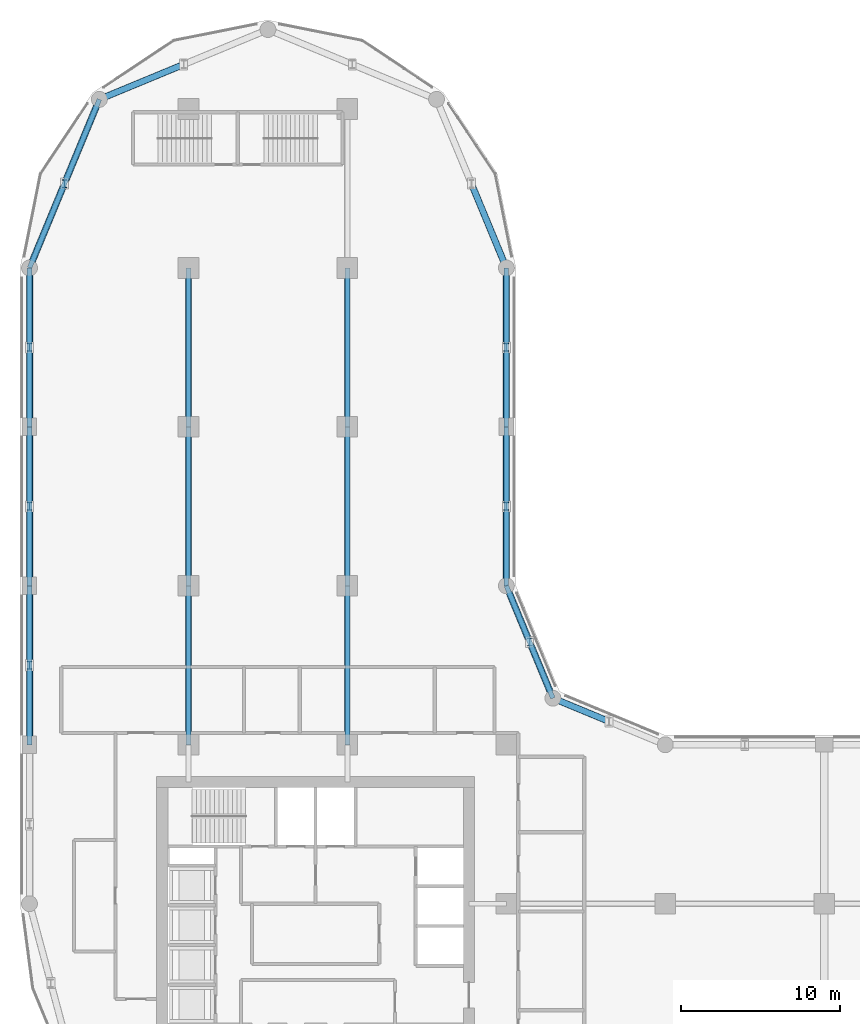
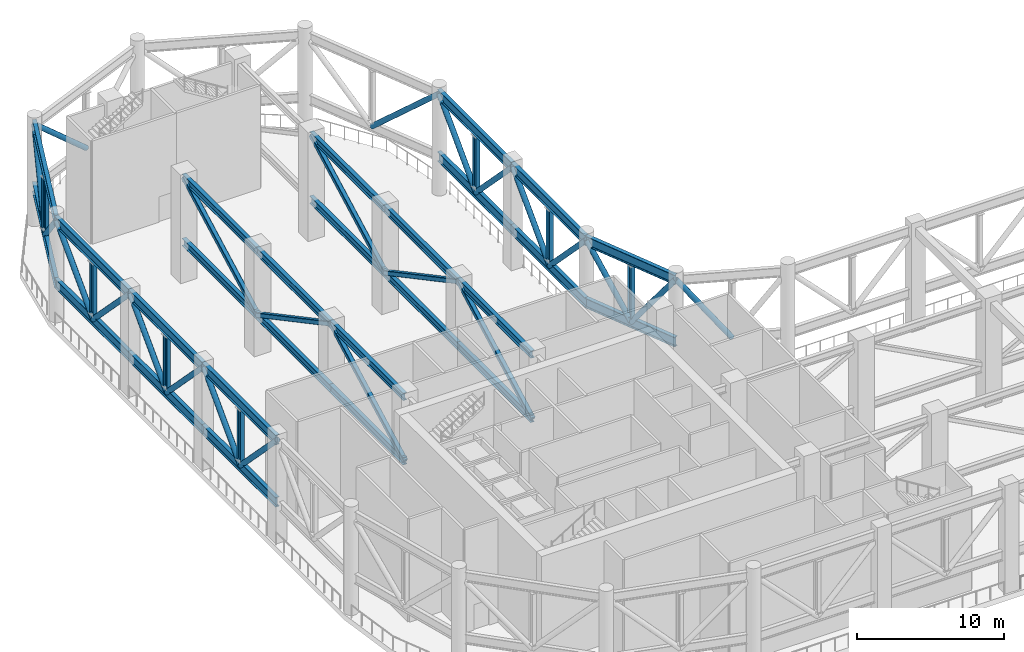
# One storey, part 4 of 13: 56 members.
"""IFC4 building model written with IfcOpenShell, lengths in metres."""

from ifc_helpers import new_model, si_unit, direction, frame, origin, origin_2d, place, context, subcontext, project, spatial, hollow_rectangle, hollow_circle, i_section, extrude, material, material_profile, profile_set, type_object, element, save


model = new_model("IFC4")

# Units and contexts
model_context = context("Model", 3, precision=1e-05, world=origin(), true_north=direction((0.0, 1.0)))
body_context = subcontext(model_context, "Body", "Model", "MODEL_VIEW")
ifc_project = project(units=[si_unit("LENGTHUNIT", "METRE"), si_unit("AREAUNIT", "SQUARE_METRE"), si_unit("VOLUMEUNIT", "CUBIC_METRE"), si_unit("PLANEANGLEUNIT", "RADIAN"), si_unit("MASSUNIT", "GRAM", prefix="KILO")], contexts=[model_context])

# Site, building, storey
site_placement = place(None, origin())
site = spatial("IfcSite", under=ifc_project, at=site_placement, CompositionType="ELEMENT")
building_placement = place(site_placement, origin())
building = spatial("IfcBuilding", under=site, at=building_placement, Name="Qaws Garden Tower", CompositionType="ELEMENT")
storey_placement = place(building_placement, frame((0.0, 0.0, 237.0)))
storey = spatial("IfcBuildingStorey", under=building, at=storey_placement, Name="L58", CompositionType="ELEMENT", Elevation=237.0)

# Members
ifc_material_1 = material(Name="Steel S355", Category="steel")
ifc_material_profile_1 = material_profile(ifc_material_1, i_section(OverallWidth=0.300048828125, OverallDepth=0.800048828125, WebThickness=0.017578125, FlangeThickness=0.032958984375, FilletRadius=0.030029296875, at=origin_2d()), Name="HEB 800")
ifc_profile_set_1 = profile_set([ifc_material_profile_1], Name="Steel S355")
member_type_1 = type_object("IfcMemberType", Name="Belt chord HEB 800", PredefinedType="CHORD", material=ifc_profile_set_1)
for number, where, z_axis, x_axis, name in (
    (1, (32.928955078125, 32.928955078125, 8.14990234375), (-0.382687042488, 0.923878037141, 0.0), (-0.923878037141, -0.382687042488, 0.0), "Belt truss top chord 11"),
    (2, (32.928955078125, 32.928955078125, 3.0), (-0.382687042488, 0.923878037141, 0.0), (-0.923878037141, -0.382687042488, 0.0), "Belt truss bottom chord 11"),
):
    element("IfcMember", number, at=place(storey_placement, frame(where, z_axis=z_axis, x_axis=x_axis)), inside=storey, type_object=member_type_1, Name=name, PredefinedType="CHORD", context=body_context, shape_type="SweptSolid", body=[
        extrude(i_section(OverallWidth=0.300048828125, OverallDepth=0.800048828125, WebThickness=0.017578125, FlangeThickness=0.032958984375, FilletRadius=0.030029296875, at=origin_2d()), origin(), (0.0, 0.0, 1.0), 7.653564453125),
    ])
for number, where, z_axis, x_axis, name in (
    (3, (30.0, 40.0, 8.14990234375), (0.0, 1.0, 0.0), (-1.0, 0.0, 0.0), "Belt truss top chord 12"),
    (4, (30.0, 40.0, 3.0), (0.0, 1.0, 0.0), (-1.0, 0.0, 0.0), "Belt truss bottom chord 12"),
    (5, (30.0, 50.0, 8.14990234375), (0.0, 1.0, 0.0), (-1.0, 0.0, 0.0), "Belt truss top chord 13"),
    (6, (30.0, 50.0, 3.0), (0.0, 1.0, 0.0), (-1.0, 0.0, 0.0), "Belt truss bottom chord 13"),
):
    element("IfcMember", number, at=place(storey_placement, frame(where, z_axis=z_axis, x_axis=x_axis)), inside=storey, type_object=member_type_1, Name=name, PredefinedType="CHORD", context=body_context, shape_type="SweptSolid", body=[
        extrude(i_section(OverallWidth=0.300048828125, OverallDepth=0.800048828125, WebThickness=0.017578125, FlangeThickness=0.032958984375, FilletRadius=0.030029296875, at=origin_2d()), origin(), (0.0, 0.0, 1.0), 10.0),
    ])
for number, where, z_axis, x_axis, name in (
    (7, (4.393310546875, 70.606689453125, 8.14990234375), (-0.382674207535, -0.923883353507, 0.0), (0.923883353507, -0.382674207535, 0.0), "Belt truss top chord 17"),
    (8, (4.393310546875, 70.606689453125, 3.0), (-0.382674207535, -0.923883353507, 0.0), (0.923883353507, -0.382674207535, 0.0), "Belt truss bottom chord 17"),
):
    element("IfcMember", number, at=place(storey_placement, frame(where, z_axis=z_axis, x_axis=x_axis)), inside=storey, type_object=member_type_1, Name=name, PredefinedType="CHORD", context=body_context, shape_type="SweptSolid", body=[
        extrude(i_section(OverallWidth=0.300048828125, OverallDepth=0.800048828125, WebThickness=0.017578125, FlangeThickness=0.032958984375, FilletRadius=0.030029296875, at=origin_2d()), origin(), (0.0, 0.0, 1.0), 11.48046875),
    ])
for number, where, z_axis, x_axis, name in (
    (9, (0.0, 60.0, 8.14990234375), (0.0, -1.0, 0.0), (1.0, 0.0, 0.0), "Belt truss top chord 18"),
    (10, (0.0, 60.0, 3.0), (0.0, -1.0, 0.0), (1.0, 0.0, 0.0), "Belt truss bottom chord 18"),
    (11, (0.0, 50.0, 8.14990234375), (0.0, -1.0, 0.0), (1.0, 0.0, 0.0), "Belt truss top chord 19"),
    (12, (0.0, 50.0, 3.0), (0.0, -1.0, 0.0), (1.0, 0.0, 0.0), "Belt truss bottom chord 19"),
    (13, (0.0, 40.0, 8.14990234375), (0.0, -1.0, 0.0), (1.0, 0.0, 0.0), "Belt truss top chord 20"),
    (14, (0.0, 40.0, 3.0), (0.0, -1.0, 0.0), (1.0, 0.0, 0.0), "Belt truss bottom chord 20"),
):
    element("IfcMember", number, at=place(storey_placement, frame(where, z_axis=z_axis, x_axis=x_axis)), inside=storey, type_object=member_type_1, Name=name, PredefinedType="CHORD", context=body_context, shape_type="SweptSolid", body=[
        extrude(i_section(OverallWidth=0.300048828125, OverallDepth=0.800048828125, WebThickness=0.017578125, FlangeThickness=0.032958984375, FilletRadius=0.030029296875, at=origin_2d()), origin(), (0.0, 0.0, 1.0), 10.0),
    ])
ifc_material_2 = material(Name="Steel S355", Category="steel")
ifc_material_profile_2 = material_profile(ifc_material_2, hollow_circle(Radius=0.203125, WallThickness=0.02001953125, at=origin_2d()), Name="CHS 406.4x20")
ifc_profile_set_2 = profile_set([ifc_material_profile_2], Name="Steel S355")
member_type_2 = type_object("IfcMemberType", Name="Belt diagonal CHS 406.4x20", PredefinedType="BRACE", material=ifc_profile_set_2)
for number, where, z_axis, x_axis, name in (
    (15, (36.46435546875, 31.46435546875, 3.0), (-0.551025084301, 0.22827149235, 0.802660253315), (-0.38272554779, -0.923862086606, 0.0), "Belt truss diagonal 10b"),
    (16, (32.928955078125, 32.928955078125, 8.14990234375), (-0.22827149235, 0.551025084301, -0.802660253315), (-0.923862086606, -0.38272554779, 0.0), "Belt truss diagonal 11a"),
    (17, (31.46435546875, 36.46435546875, 3.0), (-0.22823063748, 0.551056367454, 0.802650394633), (-0.92389398552, -0.382648537851, 0.0), "Belt truss diagonal 11b"),
):
    element("IfcMember", number, at=place(storey_placement, frame(where, z_axis=z_axis, x_axis=x_axis)), inside=storey, type_object=member_type_2, Name=name, PredefinedType="BRACE", context=body_context, shape_type="SweptSolid", body=[
        extrude(hollow_circle(Radius=0.203125, WallThickness=0.02001953125, at=origin_2d()), origin(), (0.0, 0.0, 1.0), 6.416015625),
    ])
for number, where, z_axis, x_axis, name in (
    (18, (30.0, 40.0, 8.14990234375), (0.0, 0.696587664797, -0.717471689513), (-1.0, 0.0, 0.0), "Belt truss diagonal 12a"),
    (19, (30.0, 45.0, 3.0), (0.0, 0.696587664797, 0.717471689513), (-1.0, 0.0, 0.0), "Belt truss diagonal 12b"),
    (20, (30.0, 50.0, 8.14990234375), (0.0, 0.696587664797, -0.717471689513), (-1.0, 0.0, 0.0), "Belt truss diagonal 13a"),
    (21, (30.0, 55.0, 3.0), (0.0, 0.696587664797, 0.717471689513), (-1.0, 0.0, 0.0), "Belt truss diagonal 13b"),
):
    element("IfcMember", number, at=place(storey_placement, frame(where, z_axis=z_axis, x_axis=x_axis)), inside=storey, type_object=member_type_2, Name=name, PredefinedType="BRACE", context=body_context, shape_type="SweptSolid", body=[
        extrude(hollow_circle(Radius=0.203125, WallThickness=0.02001953125, at=origin_2d()), origin(), (0.0, 0.0, 1.0), 7.177734375),
    ])
member_1_placement = place(storey_placement, frame((30.0, 60.0, 8.14990234375), z_axis=(-0.284860092812, 0.687678477001, -0.667797154676), x_axis=(-0.923872720536, -0.382699877515, 0.0)))
element("IfcMember", 22, at=member_1_placement, inside=storey, type_object=member_type_2, Name="Belt truss diagonal 14a", PredefinedType="BRACE", context=body_context, shape_type="SweptSolid", body=[
    extrude(hollow_circle(Radius=0.203125, WallThickness=0.02001953125, at=origin_2d()), origin(), (0.0, 0.0, 1.0), 7.711669921875),
])
for number, where, z_axis, x_axis, name in (
    (23, (9.69677734375, 72.80322265625, 3.0), (-0.687701364621, -0.284824802168, 0.667788638094), (0.382648537851, -0.92389398552, 0.0), "Belt truss diagonal 16b"),
    (24, (4.393310546875, 70.606689453125, 8.14990234375), (-0.284824802168, -0.687701364621, -0.667788638094), (0.92389398552, -0.382648537851, 0.0), "Belt truss diagonal 17a"),
):
    element("IfcMember", number, at=place(storey_placement, frame(where, z_axis=z_axis, x_axis=x_axis)), inside=storey, type_object=member_type_2, Name=name, PredefinedType="BRACE", context=body_context, shape_type="SweptSolid", body=[
        extrude(hollow_circle(Radius=0.203125, WallThickness=0.02001953125, at=origin_2d()), origin(), (0.0, 0.0, 1.0), 7.7119140625),
    ])
member_2_placement = place(storey_placement, frame((2.19677734375, 65.30322265625, 3.0), z_axis=(-0.284860092812, -0.687678477001, 0.667797154676), x_axis=(0.923872720536, -0.382699877515, 0.0)))
element("IfcMember", 25, at=member_2_placement, inside=storey, type_object=member_type_2, Name="Belt truss diagonal 17b", PredefinedType="BRACE", context=body_context, shape_type="SweptSolid", body=[
    extrude(hollow_circle(Radius=0.203125, WallThickness=0.02001953125, at=origin_2d()), origin(), (0.0, 0.0, 1.0), 7.711669921875),
])
for number, where, z_axis, x_axis, name in (
    (26, (0.0, 60.0, 8.14990234375), (0.0, -0.696587664797, -0.717471689513), (1.0, 0.0, 0.0), "Belt truss diagonal 18a"),
    (27, (0.0, 55.0, 3.0), (0.0, -0.696587664797, 0.717471689513), (1.0, 0.0, 0.0), "Belt truss diagonal 18b"),
    (28, (0.0, 50.0, 8.14990234375), (0.0, -0.696587664797, -0.717471689513), (1.0, 0.0, 0.0), "Belt truss diagonal 19a"),
    (29, (0.0, 45.0, 3.0), (0.0, -0.696587664797, 0.717471689513), (1.0, 0.0, 0.0), "Belt truss diagonal 19b"),
    (30, (0.0, 40.0, 8.14990234375), (0.0, -0.696587664797, -0.717471689513), (1.0, 0.0, 0.0), "Belt truss diagonal 20a"),
    (31, (0.0, 35.0, 3.0), (0.0, -0.696587664797, 0.717471689513), (1.0, 0.0, 0.0), "Belt truss diagonal 20b"),
):
    element("IfcMember", number, at=place(storey_placement, frame(where, z_axis=z_axis, x_axis=x_axis)), inside=storey, type_object=member_type_2, Name=name, PredefinedType="BRACE", context=body_context, shape_type="SweptSolid", body=[
        extrude(hollow_circle(Radius=0.203125, WallThickness=0.02001953125, at=origin_2d()), origin(), (0.0, 0.0, 1.0), 7.177734375),
    ])
ifc_material_3 = material(Name="Steel S355", Category="steel")
ifc_material_profile_3 = material_profile(ifc_material_3, i_section(OverallWidth=0.300048828125, OverallDepth=0.5, WebThickness=0.014404296875, FlangeThickness=0.028076171875, FilletRadius=0.027099609375, at=origin_2d()), Name="HEB 500")
ifc_profile_set_3 = profile_set([ifc_material_profile_3], Name="Steel S355")
member_type_3 = type_object("IfcMemberType", Name="Belt post HEB 500", PredefinedType="POST", material=ifc_profile_set_3)
member_3_placement = place(storey_placement, frame((31.46435546875, 36.46435546875, 3.39990234375), z_axis=(0.0, 0.0, 1.0), x_axis=(1.0, 0.0, 0.0)))
element("IfcMember", 32, at=member_3_placement, inside=storey, type_object=member_type_3, Name="Belt truss post 11", PredefinedType="POST", context=body_context, shape_type="SweptSolid", body=[
    extrude(i_section(OverallWidth=0.300048828125, OverallDepth=0.5, WebThickness=0.014404296875, FlangeThickness=0.028076171875, FilletRadius=0.027099609375, at=origin_2d()), origin(), (0.0, 0.0, 1.0), 4.35009765625),
])
member_4_placement = place(storey_placement, frame((30.0, 45.0, 3.39990234375), z_axis=(0.0, 0.0, 1.0), x_axis=(1.0, 0.0, 0.0)))
element("IfcMember", 33, at=member_4_placement, inside=storey, type_object=member_type_3, Name="Belt truss post 12", PredefinedType="POST", context=body_context, shape_type="SweptSolid", body=[
    extrude(i_section(OverallWidth=0.300048828125, OverallDepth=0.5, WebThickness=0.014404296875, FlangeThickness=0.028076171875, FilletRadius=0.027099609375, at=origin_2d()), origin(), (0.0, 0.0, 1.0), 4.35009765625),
])
member_5_placement = place(storey_placement, frame((30.0, 55.0, 3.39990234375), z_axis=(0.0, 0.0, 1.0), x_axis=(1.0, 0.0, 0.0)))
element("IfcMember", 34, at=member_5_placement, inside=storey, type_object=member_type_3, Name="Belt truss post 13", PredefinedType="POST", context=body_context, shape_type="SweptSolid", body=[
    extrude(i_section(OverallWidth=0.300048828125, OverallDepth=0.5, WebThickness=0.014404296875, FlangeThickness=0.028076171875, FilletRadius=0.027099609375, at=origin_2d()), origin(), (0.0, 0.0, 1.0), 4.35009765625),
])
member_6_placement = place(storey_placement, frame((2.19677734375, 65.30322265625, 3.39990234375), z_axis=(0.0, 0.0, 1.0), x_axis=(1.0, 0.0, 0.0)))
element("IfcMember", 35, at=member_6_placement, inside=storey, type_object=member_type_3, Name="Belt truss post 17", PredefinedType="POST", context=body_context, shape_type="SweptSolid", body=[
    extrude(i_section(OverallWidth=0.300048828125, OverallDepth=0.5, WebThickness=0.014404296875, FlangeThickness=0.028076171875, FilletRadius=0.027099609375, at=origin_2d()), origin(), (0.0, 0.0, 1.0), 4.35009765625),
])
member_7_placement = place(storey_placement, frame((0.0, 55.0, 3.39990234375), z_axis=(0.0, 0.0, 1.0), x_axis=(1.0, 0.0, 0.0)))
element("IfcMember", 36, at=member_7_placement, inside=storey, type_object=member_type_3, Name="Belt truss post 18", PredefinedType="POST", context=body_context, shape_type="SweptSolid", body=[
    extrude(i_section(OverallWidth=0.300048828125, OverallDepth=0.5, WebThickness=0.014404296875, FlangeThickness=0.028076171875, FilletRadius=0.027099609375, at=origin_2d()), origin(), (0.0, 0.0, 1.0), 4.35009765625),
])
member_8_placement = place(storey_placement, frame((0.0, 45.0, 3.39990234375), z_axis=(0.0, 0.0, 1.0), x_axis=(1.0, 0.0, 0.0)))
element("IfcMember", 37, at=member_8_placement, inside=storey, type_object=member_type_3, Name="Belt truss post 19", PredefinedType="POST", context=body_context, shape_type="SweptSolid", body=[
    extrude(i_section(OverallWidth=0.300048828125, OverallDepth=0.5, WebThickness=0.014404296875, FlangeThickness=0.028076171875, FilletRadius=0.027099609375, at=origin_2d()), origin(), (0.0, 0.0, 1.0), 4.35009765625),
])
member_9_placement = place(storey_placement, frame((0.0, 35.0, 3.39990234375), z_axis=(0.0, 0.0, 1.0), x_axis=(1.0, 0.0, 0.0)))
element("IfcMember", 38, at=member_9_placement, inside=storey, type_object=member_type_3, Name="Belt truss post 20", PredefinedType="POST", context=body_context, shape_type="SweptSolid", body=[
    extrude(i_section(OverallWidth=0.300048828125, OverallDepth=0.5, WebThickness=0.014404296875, FlangeThickness=0.028076171875, FilletRadius=0.027099609375, at=origin_2d()), origin(), (0.0, 0.0, 1.0), 4.35009765625),
])
ifc_material_4 = material(Name="Steel S355", Category="steel")
ifc_material_profile_4 = material_profile(ifc_material_4, i_section(OverallWidth=0.304931640625, OverallDepth=0.6201171875, WebThickness=0.02099609375, FlangeThickness=0.0400390625, FilletRadius=0.027099609375, at=origin_2d()), Name="HEM 600")
ifc_profile_set_4 = profile_set([ifc_material_profile_4], Name="Steel S355")
member_type_4 = type_object("IfcMemberType", Name="Outrigger chord HEM 600", PredefinedType="CHORD", material=ifc_profile_set_4)
for number, where, z_axis, x_axis, name in (
    (39, (10.0, 30.0, 8.239990234375), (0.0, 1.0, 0.0), (-1.0, 0.0, 0.0), "Outrigger 3 top chord 2"),
    (40, (10.0, 30.0, 2.909912109375), (0.0, 1.0, 0.0), (-1.0, 0.0, 0.0), "Outrigger 3 bottom chord 2"),
    (41, (10.0, 40.0, 8.239990234375), (0.0, 1.0, 0.0), (-1.0, 0.0, 0.0), "Outrigger 3 top chord 3"),
    (42, (10.0, 40.0, 2.909912109375), (0.0, 1.0, 0.0), (-1.0, 0.0, 0.0), "Outrigger 3 bottom chord 3"),
    (43, (10.0, 50.0, 8.239990234375), (0.0, 1.0, 0.0), (-1.0, 0.0, 0.0), "Outrigger 3 top chord 4"),
    (44, (10.0, 50.0, 2.909912109375), (0.0, 1.0, 0.0), (-1.0, 0.0, 0.0), "Outrigger 3 bottom chord 4"),
    (45, (20.0, 30.0, 8.239990234375), (0.0, 1.0, 0.0), (-1.0, 0.0, 0.0), "Outrigger 4 top chord 2"),
    (46, (20.0, 30.0, 2.909912109375), (0.0, 1.0, 0.0), (-1.0, 0.0, 0.0), "Outrigger 4 bottom chord 2"),
    (47, (20.0, 40.0, 8.239990234375), (0.0, 1.0, 0.0), (-1.0, 0.0, 0.0), "Outrigger 4 top chord 3"),
    (48, (20.0, 40.0, 2.909912109375), (0.0, 1.0, 0.0), (-1.0, 0.0, 0.0), "Outrigger 4 bottom chord 3"),
    (49, (20.0, 50.0, 8.239990234375), (0.0, 1.0, 0.0), (-1.0, 0.0, 0.0), "Outrigger 4 top chord 4"),
    (50, (20.0, 50.0, 2.909912109375), (0.0, 1.0, 0.0), (-1.0, 0.0, 0.0), "Outrigger 4 bottom chord 4"),
):
    element("IfcMember", number, at=place(storey_placement, frame(where, z_axis=z_axis, x_axis=x_axis)), inside=storey, type_object=member_type_4, Name=name, PredefinedType="CHORD", context=body_context, shape_type="SweptSolid", body=[
        extrude(i_section(OverallWidth=0.304931640625, OverallDepth=0.6201171875, WebThickness=0.02099609375, FlangeThickness=0.0400390625, FilletRadius=0.027099609375, at=origin_2d()), origin(), (0.0, 0.0, 1.0), 10.0),
    ])
ifc_material_5 = material(Name="Steel S355", Category="steel")
ifc_material_profile_5 = material_profile(ifc_material_5, hollow_rectangle(XDim=0.35009765625, YDim=0.35009765625, WallThickness=0.02001953125, InnerFilletRadius=0.030029296875, OuterFilletRadius=0.050048828125, at=origin_2d()), Name="SHS 350x350x20")
ifc_profile_set_5 = profile_set([ifc_material_profile_5], Name="Steel S355")
member_type_5 = type_object("IfcMemberType", Name="Outrigger diagonal SHS 350x350x20", PredefinedType="BRACE", material=ifc_profile_set_5)
for number, where, z_axis, x_axis, name in (
    (51, (10.0, 30.0, 2.909912109375), (0.0, 0.882472191622, 0.470364572448), (-1.0, 0.0, 0.0), "Outrigger 3 diagonal 2"),
    (52, (10.0, 40.0, 8.239990234375), (0.0, 0.882472191622, -0.470364572448), (-1.0, 0.0, 0.0), "Outrigger 3 diagonal 3"),
    (53, (10.0, 50.0, 2.909912109375), (0.0, 0.882472191622, 0.470364572448), (-1.0, 0.0, 0.0), "Outrigger 3 diagonal 4"),
    (54, (20.0, 30.0, 2.909912109375), (0.0, 0.882472191622, 0.470364572448), (-1.0, 0.0, 0.0), "Outrigger 4 diagonal 2"),
    (55, (20.0, 40.0, 8.239990234375), (0.0, 0.882472191622, -0.470364572448), (-1.0, 0.0, 0.0), "Outrigger 4 diagonal 3"),
    (56, (20.0, 50.0, 2.909912109375), (0.0, 0.882472191622, 0.470364572448), (-1.0, 0.0, 0.0), "Outrigger 4 diagonal 4"),
):
    element("IfcMember", number, at=place(storey_placement, frame(where, z_axis=z_axis, x_axis=x_axis)), inside=storey, type_object=member_type_5, Name=name, PredefinedType="BRACE", context=body_context, shape_type="SweptSolid", body=[
        extrude(hollow_rectangle(XDim=0.35009765625, YDim=0.35009765625, WallThickness=0.02001953125, InnerFilletRadius=0.030029296875, OuterFilletRadius=0.050048828125, at=origin_2d()), origin(), (0.0, 0.0, 1.0), 11.331787109375),
    ])

save(model, "model.ifc")
